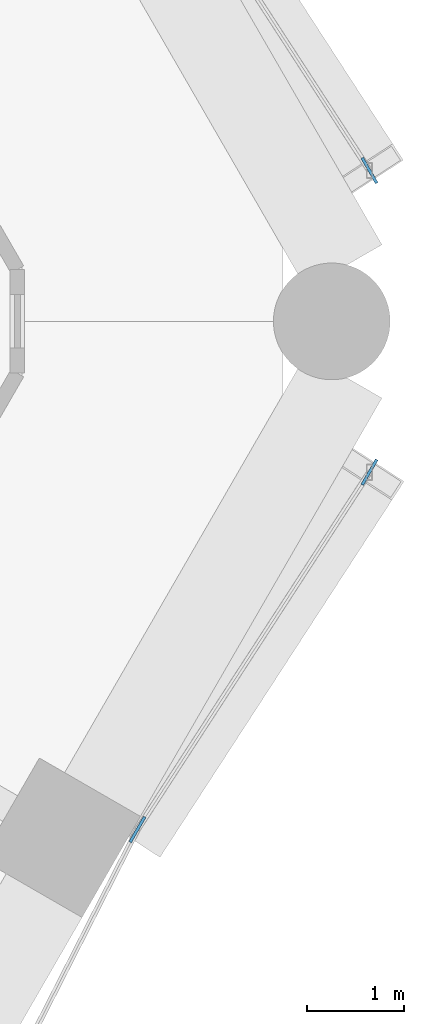
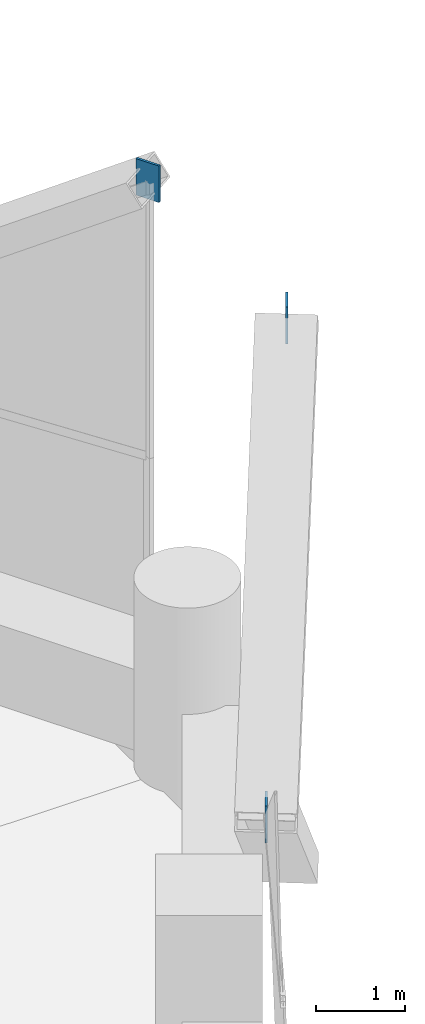
# One storey, part 33 of 36: 3 discrete accessories.
"""IFC4 building model written with IfcOpenShell, lengths in metres."""

from ifc_helpers import new_model, si_unit, direction, frame, origin, origin_2d, place, context, subcontext, project, spatial, rectangle, extrude, material, layer, layer_set, type_object, element, save


model = new_model("IFC4")

# Units and contexts
model_context = context("Model", 3, precision=1e-05, world=origin(), true_north=direction((0.0, 1.0)))
body_context = subcontext(model_context, "Body", "Model", "MODEL_VIEW")
ifc_project = project(units=[si_unit("LENGTHUNIT", "METRE"), si_unit("AREAUNIT", "SQUARE_METRE"), si_unit("VOLUMEUNIT", "CUBIC_METRE"), si_unit("PLANEANGLEUNIT", "RADIAN"), si_unit("MASSUNIT", "GRAM", prefix="KILO")], contexts=[model_context])

# Site, building, storey
site_placement = place(None, origin())
site = spatial("IfcSite", under=ifc_project, at=site_placement, CompositionType="ELEMENT")
building_placement = place(site_placement, origin())
building = spatial("IfcBuilding", under=site, at=building_placement, Name="Ostrander Bayou Hotel Tower", CompositionType="ELEMENT")
storey_placement = place(building_placement, frame((0.0, 0.0, 138.5)))
storey = spatial("IfcBuildingStorey", under=building, at=storey_placement, Name="L34", CompositionType="ELEMENT", Elevation=138.5)

# Discrete accessories
ifc_material = material(Name="Steel ASTM A572 Gr 50", Category="steel")
ifc_layer = layer(ifc_material, 0.030029296875)
ifc_layer_set = layer_set([ifc_layer], Name="GP1 gusset plate 30 mm")
discrete_accessory_type = type_object("IfcDiscreteAccessoryType", Name="GP1 gusset plate 30 mm", PredefinedType="BRACKET", material=ifc_layer_set)
for number, where, z_axis, x_axis, name in (
    (1, (19.802978515625, -6.3818359375, 2.89990234375), (0.0, 0.0, 1.0), (0.5, 0.866025403784, 0.0), "GP1 gusset plate lat 204"),
    (2, (22.188720703125, -2.7080078125, 6.64990234375), (0.0, 0.0, 1.0), (0.5, 0.866025403784, 0.0), "GP1 gusset plate lat 205"),
    (3, (22.188720703125, 0.39501953125, 6.64990234375), (0.0, 0.0, 1.0), (-0.5, 0.866025403784, 0.0), "GP1 gusset plate lat 207"),
):
    element("IfcDiscreteAccessory", number, at=place(storey_placement, frame(where, z_axis=z_axis, x_axis=x_axis)), inside=storey, type_object=discrete_accessory_type, Name=name, PredefinedType="BRACKET", context=body_context, shape_type="SweptSolid", body=[
        extrude(rectangle(XDim=0.300048828125, YDim=0.030029296875, at=origin_2d()), origin(), (0.0, 0.0, 1.0), 0.5),
    ])

save(model, "model.ifc")
